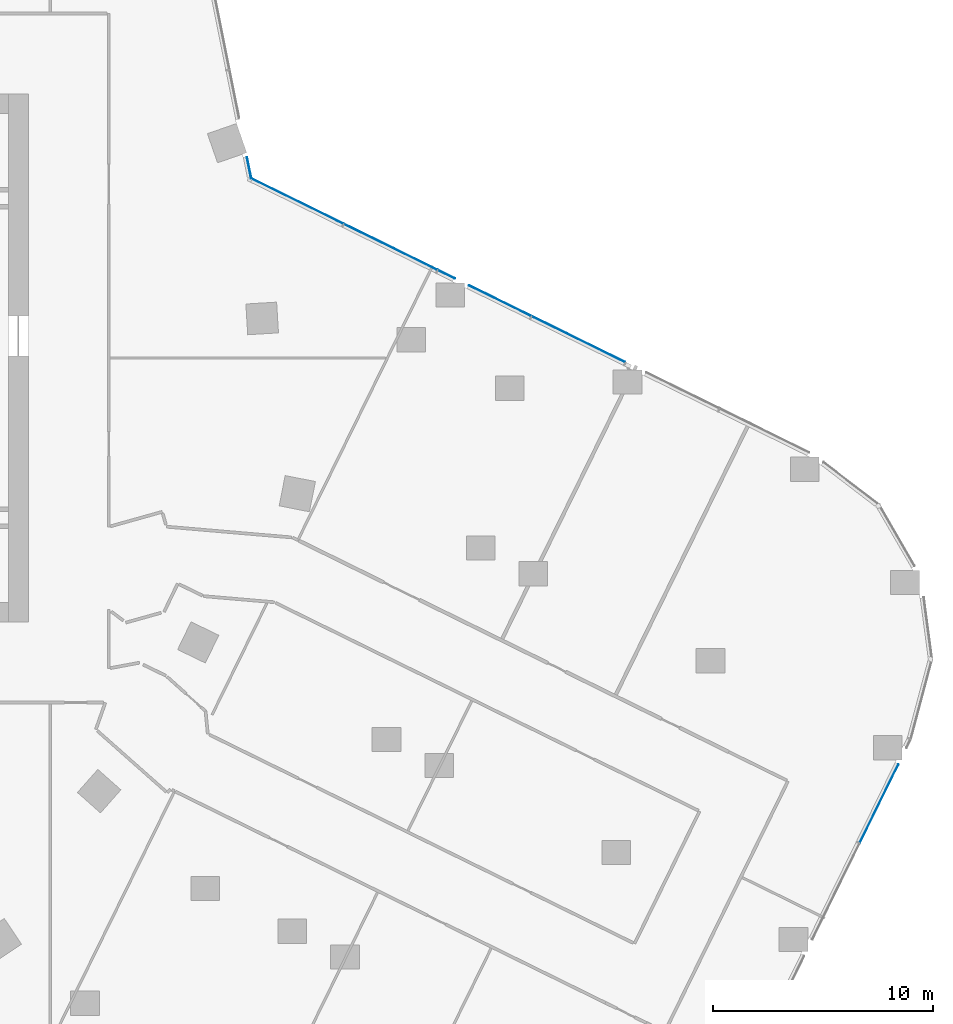
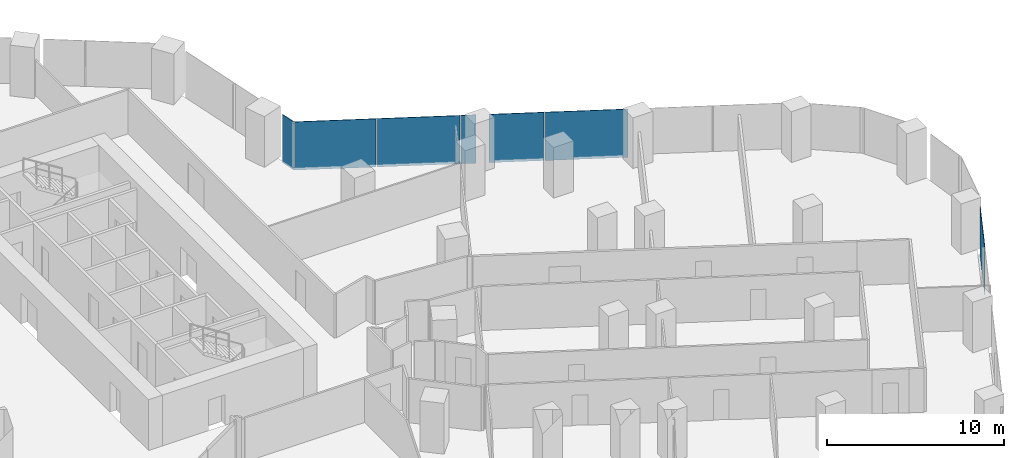
# One storey, part 22 of 38: 7 plates, 3 elements without a shape of their own.
"""IFC4 building model written with IfcOpenShell, lengths in metres."""

from ifc_helpers import new_model, si_unit, direction, frame, origin, origin_2d, place, context, subcontext, project, spatial, rectangle, extrude, material, layer, layer_set, type_object, element, aggregate, save


model = new_model("IFC4")

# Units and contexts
model_context = context("Model", 3, precision=1e-05, world=origin(), true_north=direction((0.0, 1.0)))
body_context = subcontext(model_context, "Body", "Model", "MODEL_VIEW")
ifc_project = project(units=[si_unit("LENGTHUNIT", "METRE"), si_unit("AREAUNIT", "SQUARE_METRE"), si_unit("VOLUMEUNIT", "CUBIC_METRE"), si_unit("PLANEANGLEUNIT", "RADIAN"), si_unit("MASSUNIT", "GRAM", prefix="KILO")], contexts=[model_context])

# Site, building, storey
site_placement = place(None, origin())
site = spatial("IfcSite", under=ifc_project, at=site_placement, CompositionType="ELEMENT")
building_placement = place(site_placement, origin())
building = spatial("IfcBuilding", under=site, at=building_placement, Name="Orlundy Tower", CompositionType="ELEMENT")
storey_placement = place(building_placement, frame((0.0, 0.0, 69.300048828125)))
storey = spatial("IfcBuildingStorey", under=building, at=storey_placement, Name="L16", CompositionType="ELEMENT", Elevation=69.300048828125)

# Curtain wall, plate
ifc_material_1 = material(Name="Aluminium bronze anodised", Category="aluminium")
curtain_wall_type = type_object("IfcCurtainWallType", Name="CW1 wall", PredefinedType="NOTDEFINED", material=ifc_material_1)
curtain_wall_1_placement = place(storey_placement, origin())
curtain_wall_1 = element("IfcCurtainWall", 1, at=curtain_wall_1_placement, inside=storey, type_object=curtain_wall_type, Name="CW1 run 017", PredefinedType="NOTDEFINED")
ifc_material_2 = material(Name="Tinted glass", Category="glass")
ifc_layer = layer(ifc_material_2, 0.031982421875)
ifc_layer_set = layer_set([ifc_layer], Name="CW1 glass panel 32")
plate_type = type_object("IfcPlateType", Name="CW1 glass panel 32", PredefinedType="CURTAIN_PANEL", material=ifc_layer_set)
plate_1_placement = place(storey_placement, frame((29.032958984375, 8.63720703125, -0.280029296875), z_axis=(0.0, 0.0, 1.0), x_axis=(0.196529373401, -0.980497937474, 0.0)))
plate_1 = element("IfcPlate", 2, at=plate_1_placement, type_object=plate_type, Name="CW1 panel", PredefinedType="CURTAIN_PANEL", context=body_context, shape_type="SweptSolid", body=[
    extrude(rectangle(XDim=0.986572265625, YDim=0.031982421875, at=origin_2d()), origin(), (0.0, 0.0, 1.0), 3.330078125),
])
aggregate(curtain_wall_1, [plate_1])

# Curtain wall, plates
curtain_wall_2_placement = place(storey_placement, origin())
curtain_wall_2 = element("IfcCurtainWall", 3, at=curtain_wall_2_placement, inside=storey, type_object=curtain_wall_type, Name="CW1 run 018", PredefinedType="NOTDEFINED")
plate_2_placement = place(storey_placement, frame((31.21630859375, 7.12841796875, -0.280029296875), z_axis=(0.0, 0.0, 1.0), x_axis=(0.897517823728, -0.440978180969, 0.0)))
plate_2 = element("IfcPlate", 4, at=plate_2_placement, type_object=plate_type, Name="CW1 panel", PredefinedType="CURTAIN_PANEL", context=body_context, shape_type="SweptSolid", body=[
    extrude(rectangle(XDim=4.6494140625, YDim=0.031982421875, at=origin_2d()), origin(), (0.0, 0.0, 1.0), 3.330078125),
])
plate_3_placement = place(storey_placement, frame((35.459228515625, 5.043701171875, -0.280029296875), z_axis=(0.0, 0.0, 1.0), x_axis=(0.897517823728, -0.440978180969, 0.0)))
plate_3 = element("IfcPlate", 5, at=plate_3_placement, type_object=plate_type, Name="CW1 panel", PredefinedType="CURTAIN_PANEL", context=body_context, shape_type="SweptSolid", body=[
    extrude(rectangle(XDim=4.705322265625, YDim=0.031982421875, at=origin_2d()), origin(), (0.0, 0.0, 1.0), 3.330078125),
])
plate_4_placement = place(storey_placement, frame((37.99755859375, 3.796630859375, -0.280029296875), z_axis=(0.0, 0.0, 1.0), x_axis=(0.897517823728, -0.440978180969, 0.0)))
plate_4 = element("IfcPlate", 6, at=plate_4_placement, type_object=plate_type, Name="CW1 panel", PredefinedType="CURTAIN_PANEL", context=body_context, shape_type="SweptSolid", body=[
    extrude(rectangle(XDim=0.850830078125, YDim=0.031982421875, at=origin_2d()), origin(), (0.0, 0.0, 1.0), 3.330078125),
])
plate_5_placement = place(storey_placement, frame((40.430908203125, 2.60107421875, -0.280029296875), z_axis=(0.0, 0.0, 1.0), x_axis=(0.897517823728, -0.440978180969, 0.0)))
plate_5 = element("IfcPlate", 7, at=plate_5_placement, type_object=plate_type, Name="CW1 panel", PredefinedType="CURTAIN_PANEL", context=body_context, shape_type="SweptSolid", body=[
    extrude(rectangle(XDim=3.137451171875, YDim=0.031982421875, at=origin_2d()), origin(), (0.0, 0.0, 1.0), 3.330078125),
])
plate_6_placement = place(storey_placement, frame((43.995361328125, 0.849609375, -0.280029296875), z_axis=(0.0, 0.0, 1.0), x_axis=(0.897517823728, -0.440978180969, 0.0)))
plate_6 = element("IfcPlate", 8, at=plate_6_placement, type_object=plate_type, Name="CW1 panel", PredefinedType="CURTAIN_PANEL", context=body_context, shape_type="SweptSolid", body=[
    extrude(rectangle(XDim=4.705322265625, YDim=0.031982421875, at=origin_2d()), origin(), (0.0, 0.0, 1.0), 3.330078125),
])
aggregate(curtain_wall_2, [plate_2, plate_3, plate_4, plate_5, plate_6])

# Curtain wall, plate
curtain_wall_3_placement = place(storey_placement, origin())
curtain_wall_3 = element("IfcCurtainWall", 9, at=curtain_wall_3_placement, inside=storey, type_object=curtain_wall_type, Name="CW1 run 023", PredefinedType="NOTDEFINED")
plate_7_placement = place(storey_placement, frame((57.647216796875, -20.23828125, -0.280029296875), z_axis=(0.0, 0.0, 1.0), x_axis=(-0.441012235503, -0.897501090883, 0.0)))
plate_7 = element("IfcPlate", 10, at=plate_7_placement, type_object=plate_type, Name="CW1 panel", PredefinedType="CURTAIN_PANEL", context=body_context, shape_type="SweptSolid", body=[
    extrude(rectangle(XDim=3.965087890625, YDim=0.031982421875, at=origin_2d()), origin(), (0.0, 0.0, 1.0), 3.330078125),
])
aggregate(curtain_wall_3, [plate_7])

save(model, "model.ifc")
